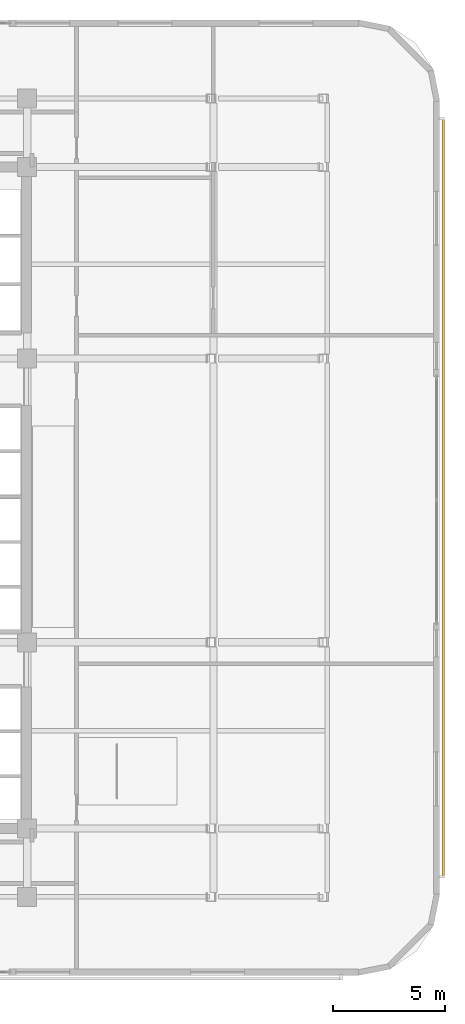
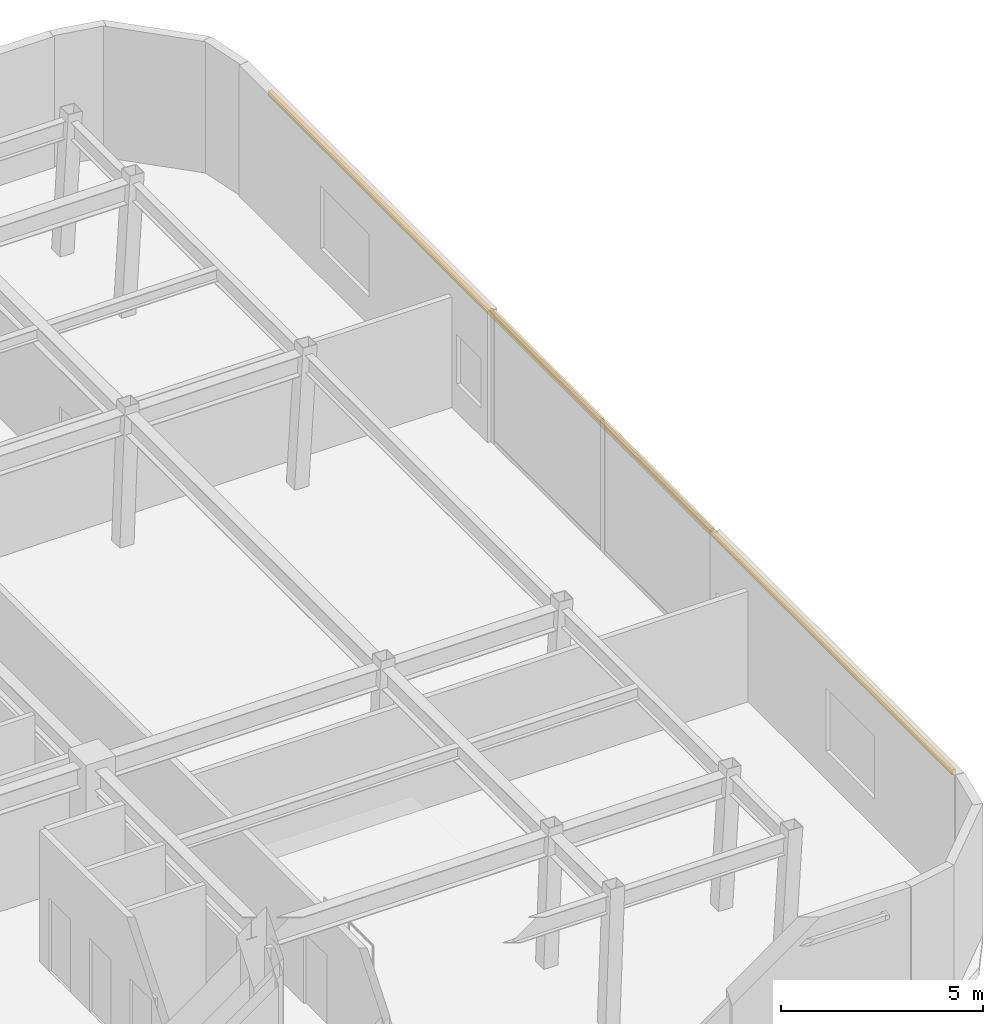
# One storey, part 12 of 13: 1 shading device.
"""IFC4 building model written with IfcOpenShell, lengths in metres."""

from ifc_helpers import new_model, si_unit, direction, frame, origin, origin_2d, place, context, subcontext, project, spatial, rectangle, extrude, material, material_profile, profile_set, type_object, element, save


model = new_model("IFC4")

# Units and contexts
model_context = context("Model", 3, precision=1e-05, world=origin(), true_north=direction((0.0, 1.0)))
body_context = subcontext(model_context, "Body", "Model", "MODEL_VIEW")
ifc_project = project(units=[si_unit("LENGTHUNIT", "METRE"), si_unit("AREAUNIT", "SQUARE_METRE"), si_unit("VOLUMEUNIT", "CUBIC_METRE"), si_unit("PLANEANGLEUNIT", "RADIAN"), si_unit("MASSUNIT", "GRAM", prefix="KILO")], contexts=[model_context])

# Site, building, storey
site_placement = place(None, origin())
site = spatial("IfcSite", under=ifc_project, at=site_placement, CompositionType="ELEMENT")
building_placement = place(site_placement, origin())
building = spatial("IfcBuilding", under=site, at=building_placement, Name="Ochreholt Gables", CompositionType="ELEMENT")
storey_placement = place(building_placement, frame((0.0, 0.0, 98.39990234375)))
storey = spatial("IfcBuildingStorey", under=building, at=storey_placement, Name="L25", CompositionType="ELEMENT", Elevation=98.39990234375)

# Shading device
ifc_material = material(Name="Warm Ochre Glazed Terracotta Baguette", Category="masonry")
ifc_material_profile = material_profile(ifc_material, rectangle(XDim=0.110107421875, YDim=0.14990234375, at=origin_2d()), Name="TCBAG110X150")
ifc_profile_set = profile_set([ifc_material_profile], Name="Warm Ochre Glazed Terracotta Baguette")
shading_device_type = type_object("IfcShadingDeviceType", Name="SHD-BAGUETTE", PredefinedType="USERDEFINED", material=ifc_profile_set)
shading_device_placement = place(storey_placement, frame((53.75, 7.10009765625, 3.440185546875), z_axis=(0.0, 1.0, 0.0), x_axis=(-1.0, 0.0, 0.0)))
element("IfcShadingDevice", 1, at=shading_device_placement, inside=storey, type_object=shading_device_type, Name="L25 Terracotta Baguette Screen E-1", ObjectType="BAGUETTE", PredefinedType="USERDEFINED", context=body_context, shape_type="SweptSolid", body=[
    extrude(rectangle(XDim=0.110107421875, YDim=0.14990234375, at=origin_2d()), origin(), (0.0, 0.0, 1.0), 33.7998046875),
])

save(model, "model.ifc")
